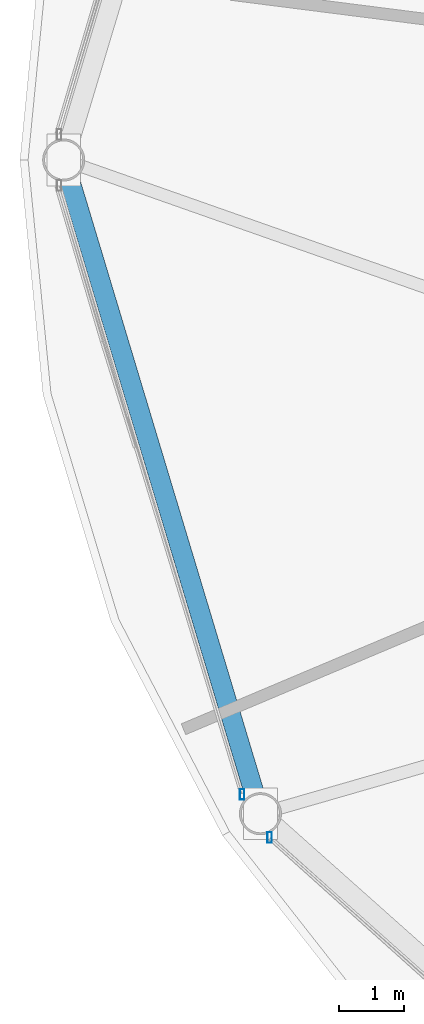
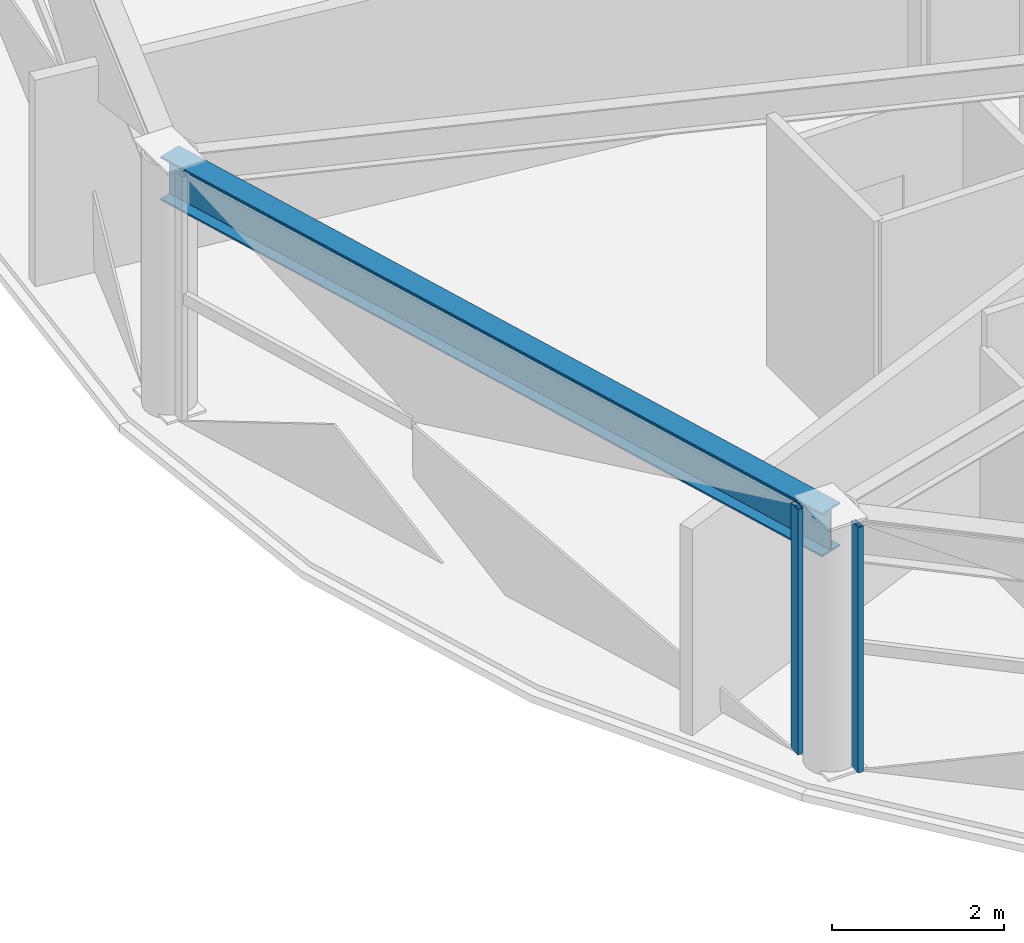
# One storey, part 3 of 30: 2 members, 1 beam, 2 elements without a shape of their own.
"""IFC4 building model written with IfcOpenShell, lengths in metres."""

from ifc_helpers import new_model, si_unit, direction, frame, origin, origin_2d, place, context, subcontext, project, spatial, hollow_rectangle, i_section, extrude, material, layer, layer_set, material_profile, profile_set, type_object, element, aggregate, save


model = new_model("IFC4")

# Units and contexts
model_context = context("Model", 3, precision=1e-05, world=origin(), true_north=direction((0.0, 1.0)))
body_context = subcontext(model_context, "Body", "Model", "MODEL_VIEW")
ifc_project = project(units=[si_unit("LENGTHUNIT", "METRE"), si_unit("AREAUNIT", "SQUARE_METRE"), si_unit("VOLUMEUNIT", "CUBIC_METRE"), si_unit("PLANEANGLEUNIT", "RADIAN"), si_unit("MASSUNIT", "GRAM", prefix="KILO")], contexts=[model_context])

# Site, building, storey
site_placement = place(None, origin())
site = spatial("IfcSite", under=ifc_project, at=site_placement, CompositionType="ELEMENT")
building_placement = place(site_placement, origin())
building = spatial("IfcBuilding", under=site, at=building_placement, Name="Vantalir Tower", CompositionType="ELEMENT")
storey_placement = place(building_placement, frame((0.0, 0.0, 193.64990234375)))
storey = spatial("IfcBuildingStorey", under=building, at=storey_placement, Name="L48", CompositionType="ELEMENT", Elevation=193.64990234375)

# Beam
ifc_material_1 = material(Name="Steel S460", Category="steel")
ifc_material_profile_1 = material_profile(ifc_material_1, i_section(OverallWidth=0.306884765625, OverallDepth=0.6201171875, WebThickness=0.01416015625, FlangeThickness=0.023681640625, at=origin_2d()), Name="Steel S460")
ifc_profile_set_1 = profile_set([ifc_material_profile_1], Name="Steel S460")
beam_type = type_object("IfcBeamType", Name="BM-RG-610x305", PredefinedType="USERDEFINED", material=ifc_profile_set_1)
beam_placement = place(storey_placement, frame((8.823974609375, 25.0, 3.260009765625), z_axis=(0.288208317462, -0.957567734286, 0.0), x_axis=(0.957567734286, 0.288208317462, 0.0)))
element("IfcBeam", 1, at=beam_placement, inside=storey, type_object=beam_type, Name="L48 Circumferential Ring Girder 07", ObjectType="GIRDER", PredefinedType="USERDEFINED", context=body_context, shape_type="SweptSolid", body=[
    extrude(i_section(OverallWidth=0.306884765625, OverallDepth=0.6201171875, WebThickness=0.01416015625, FlangeThickness=0.023681640625, at=origin_2d()), origin(), (0.0, 0.0, 1.0), 10.541259765625),
])

# Curtain wall, member
ifc_material_2 = material(Name="Champagne-silver PVDF aluminium and double-silver Low-E glass", Category="aluminium")
ifc_layer = layer(ifc_material_2, 0.2099609375)
ifc_layer_set = layer_set([ifc_layer], Name="Champagne-silver PVDF aluminium and double-silver Low-E glass")
curtain_wall_type = type_object("IfcCurtainWallType", Name="CW-DIAMOND-Z3", PredefinedType="USERDEFINED", material=ifc_layer_set)
curtain_wall_1_placement = place(storey_placement, origin())
curtain_wall_1 = element("IfcCurtainWall", 2, at=curtain_wall_1_placement, inside=storey, type_object=curtain_wall_type, Name="L48 Quilted Pyramid-Diamond Curtain Wall S07", ObjectType="UNITISED CURTAIN WALL", PredefinedType="USERDEFINED")
ifc_material_3 = material(Name="Champagne-silver PVDF aluminium 6063-T6", Category="aluminium")
ifc_material_profile_2 = material_profile(ifc_material_3, hollow_rectangle(XDim=0.070068359375, YDim=0.1650390625, WallThickness=0.00390625, at=origin_2d()), Name="Champagne-silver PVDF aluminium 6063-T6")
ifc_profile_set_2 = profile_set([ifc_material_profile_2], Name="Champagne-silver PVDF aluminium 6063-T6")
member_type = type_object("IfcMemberType", Name="CWM-165x70", PredefinedType="MULLION", material=ifc_profile_set_2)
member_1_placement = place(storey_placement, frame((11.5791015625, 15.2041015625, 0.045166015625), z_axis=(0.0, 0.0, 1.0), x_axis=(1.0, 0.0, 0.0)))
member_1 = element("IfcMember", 3, at=member_1_placement, type_object=member_type, Name="CW-L48-S07 Mullion 2", PredefinedType="MULLION", context=body_context, shape_type="SweptSolid", body=[
    extrude(hollow_rectangle(XDim=0.070068359375, YDim=0.1650390625, WallThickness=0.00390625, at=origin_2d()), origin(), (0.0, 0.0, 1.0), 3.47998046875),
])
aggregate(curtain_wall_1, [member_1])

curtain_wall_2_placement = place(storey_placement, origin())
curtain_wall_2 = element("IfcCurtainWall", 4, at=curtain_wall_2_placement, inside=storey, type_object=curtain_wall_type, Name="L48 Quilted Pyramid-Diamond Curtain Wall S08", ObjectType="UNITISED CURTAIN WALL", PredefinedType="USERDEFINED")
member_2_placement = place(storey_placement, frame((12.0029296875, 14.5380859375, 0.045166015625), z_axis=(0.0, 0.0, 1.0), x_axis=(1.0, 0.0, 0.0)))
member_2 = element("IfcMember", 5, at=member_2_placement, type_object=member_type, Name="CW-L48-S08 Mullion 1", PredefinedType="MULLION", context=body_context, shape_type="SweptSolid", body=[
    extrude(hollow_rectangle(XDim=0.070068359375, YDim=0.1650390625, WallThickness=0.00390625, at=origin_2d()), origin(), (0.0, 0.0, 1.0), 3.47998046875),
])
aggregate(curtain_wall_2, [member_2])

save(model, "model.ifc")
